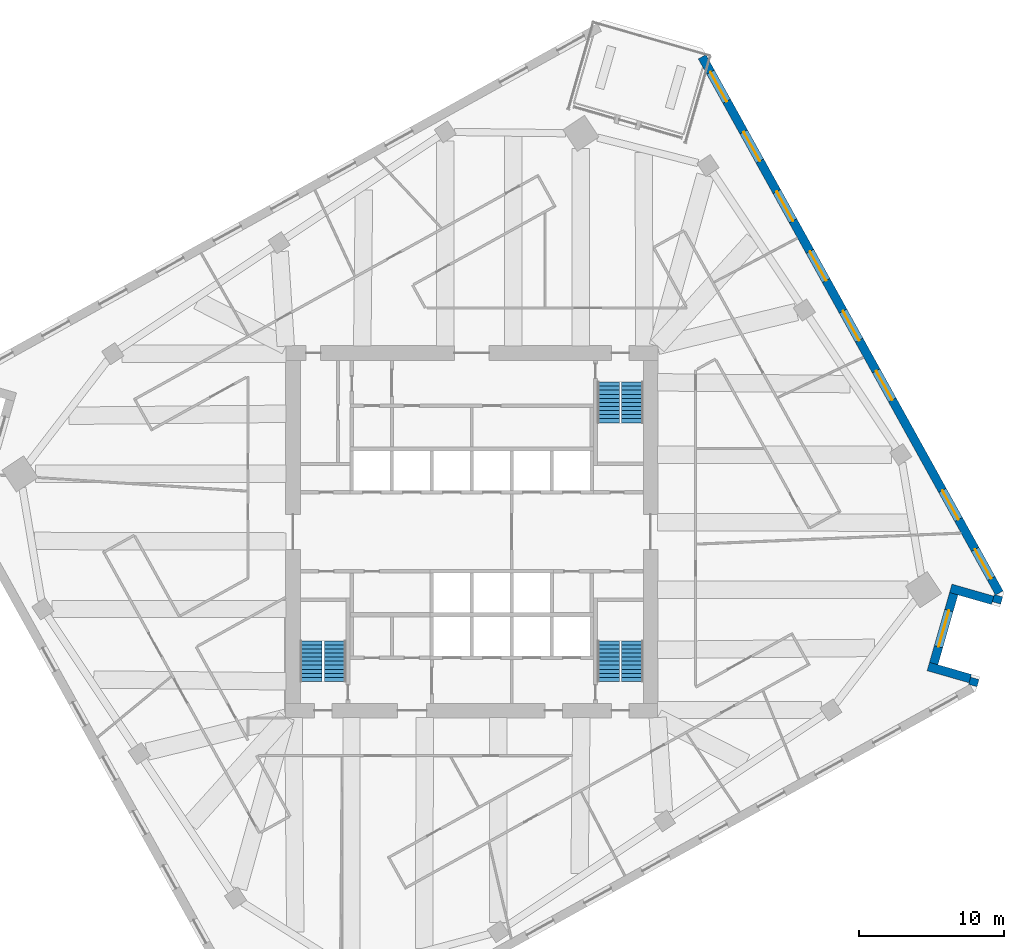
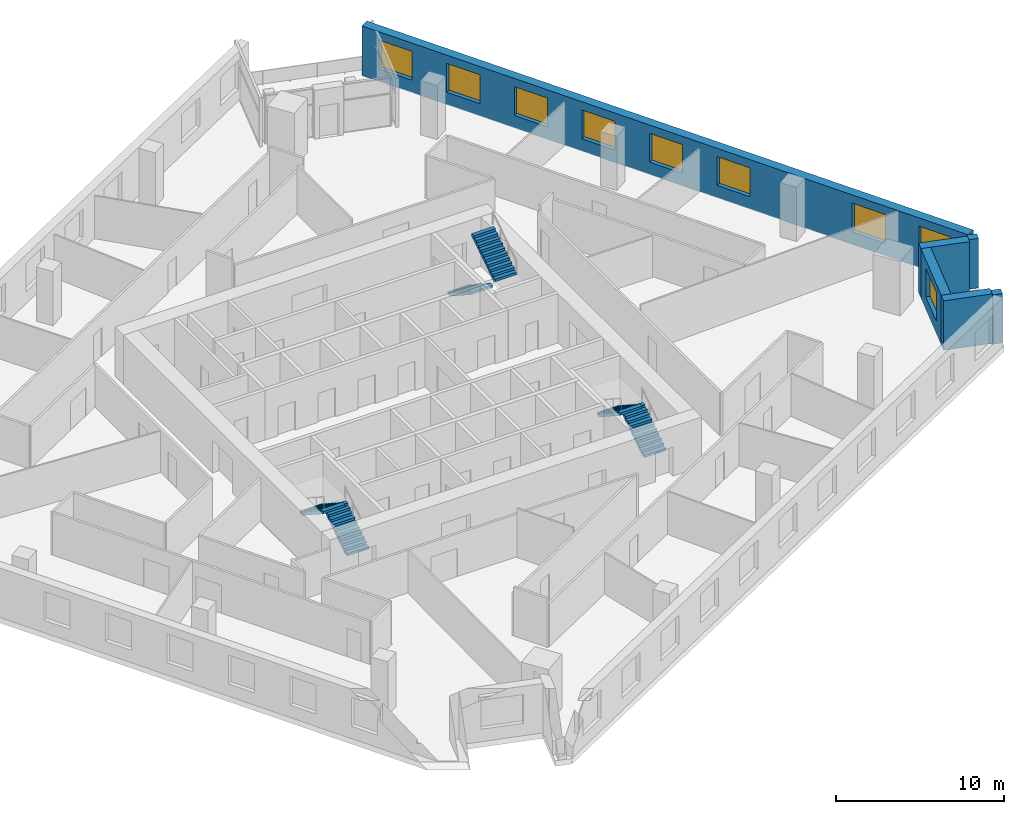
# One storey, part 10 of 12: 9 windows, 6 stair flights, 6 walls, 9 openings, 3 elements without a shape of their own.
"""IFC4 building model written with IfcOpenShell, lengths in metres."""

from ifc_helpers import new_model, si_unit, direction, frame, frame_2d, origin, place, context, subcontext, project, spatial, polyline, rectangle, outline, extrude, material, layer, layer_set, type_object, element, fill, aggregate, save


model = new_model("IFC4")

# Units and contexts
model_context = context("Model", 3, precision=1e-05, world=origin(), true_north=direction((0.0, 1.0)))
body_context = subcontext(model_context, "Body", "Model", "MODEL_VIEW")
ifc_project = project(units=[si_unit("LENGTHUNIT", "METRE"), si_unit("AREAUNIT", "SQUARE_METRE"), si_unit("VOLUMEUNIT", "CUBIC_METRE"), si_unit("PLANEANGLEUNIT", "RADIAN"), si_unit("MASSUNIT", "GRAM", prefix="KILO")], contexts=[model_context])

# Site, building, storey
site_placement = place(None, origin())
site = spatial("IfcSite", under=ifc_project, at=site_placement, CompositionType="ELEMENT")
building_placement = place(site_placement, origin())
building = spatial("IfcBuilding", under=site, at=building_placement, Name="Dilmun Exchange Tower", CompositionType="ELEMENT")
storey_placement = place(building_placement, frame((0.0, 0.0, 143.699951171875)))
storey = spatial("IfcBuildingStorey", under=building, at=storey_placement, Name="L33", CompositionType="ELEMENT", Elevation=143.699951171875)

# Walls
ifc_material_1 = material(Name="Precast concrete C50/60", Category="concrete")
ifc_layer = layer(ifc_material_1, 0.60009765625)
ifc_layer_set = layer_set([ifc_layer], Name="Precast concrete C50/60")
wall_type = type_object("IfcWallType", Name="Precast stone-clad wall 600", PredefinedType="STANDARD", material=ifc_layer_set)
wall_1_placement = place(storey_placement, frame((34.465576171875, -10.5751953125, 0.0), z_axis=(0.0, 0.0, 1.0), x_axis=(0.275667500387, 0.96125305161, 0.0)))
element("IfcWall", 1, at=wall_1_placement, inside=storey, type_object=wall_type, Name="Facade wall L33-16", PredefinedType="STANDARD", context=body_context, shape_type="SweptSolid", body=[
    extrude(rectangle(XDim=0.510986328125, YDim=0.60009765625, at=frame_2d((0.25537109375, 0.0))), origin(), (0.0, 0.0, 1.0), 3.60009765625),
])
wall_2_placement = place(storey_placement, frame((34.29052734375, -10.097412109375, 0.0), z_axis=(0.0, 0.0, 1.0), x_axis=(-0.96126248289, 0.275634611374, 0.0)))
element("IfcWall", 2, at=wall_2_placement, inside=storey, type_object=wall_type, Name="Facade wall L33-17", PredefinedType="STANDARD", context=body_context, shape_type="SweptSolid", body=[
    extrude(rectangle(XDim=3.0, YDim=0.60009765625, at=frame_2d((1.5, 0.0))), origin(), (0.0, 0.0, 1.0), 3.60009765625),
])

# Wall, opening, window
wall_3_placement = place(storey_placement, frame((31.777587890625, -9.064697265625, 0.0), z_axis=(0.0, 0.0, 1.0), x_axis=(0.275675415896, 0.961250781571, 0.0)))
wall_3 = element("IfcWall", 3, at=wall_3_placement, inside=storey, type_object=wall_type, Name="Facade wall L33-18", PredefinedType="STANDARD", context=body_context, shape_type="SweptSolid", body=[
    extrude(rectangle(XDim=5.000244140625, YDim=0.60009765625, at=frame_2d((2.5, 0.0))), origin(), (0.0, 0.0, 1.0), 3.60009765625),
])
opening_1_placement = place(wall_3_placement, frame((1.199951171875, 0.0, 0.89990234375)))
opening_1 = element("IfcOpeningElement", 4, at=opening_1_placement, cuts=wall_3, Name="Opening W260-210", PredefinedType="OPENING", context=body_context, shape_type="SweptSolid", body=[
    extrude(rectangle(XDim=2.60009765625, YDim=2.10009765625, at=frame_2d((1.300048828125, 1.050048828125))), frame((0.0, 0.31005859375, 0.0), z_axis=(0.0, -1.0, 0.0), x_axis=(1.0, 0.0, 0.0)), (0.0, 0.0, 1.0), 0.6201171875),
])
ifc_material_2 = material(Name="Clear low-emissivity glass in aluminium frame", Category="aluminium")
window_type_1 = type_object("IfcWindowType", Name="Punched window 2600 x 2100", PartitioningType="DOUBLE_PANEL_VERTICAL", PredefinedType="WINDOW", material=ifc_material_2)
window_1_placement = place(opening_1_placement, origin())
window_1 = element("IfcWindow", 5, at=window_1_placement, inside=storey, type_object=window_type_1, Name="Window 19.1", OverallHeight=2.10009765625, OverallWidth=2.60009765625, PartitioningType="SINGLE_PANEL", PredefinedType="WINDOW", context=body_context, shape_type="SweptSolid", body=[
    extrude(rectangle(XDim=2.60009765625, YDim=2.10009765625, at=frame_2d((1.300048828125, 1.050048828125))), frame((0.0, 0.030029296875, 0.0), z_axis=(0.0, -1.0, 0.0), x_axis=(1.0, 0.0, 0.0)), (0.0, 0.0, 1.0), 0.06005859375),
])
fill(opening_1, window_1)

# Walls
wall_4_placement = place(storey_placement, frame((32.9501953125, -3.88720703125, 0.0), z_axis=(0.0, 0.0, 1.0), x_axis=(0.96126248289, -0.275634611374, 0.0)))
element("IfcWall", 6, at=wall_4_placement, inside=storey, type_object=wall_type, Name="Facade wall L33-19", PredefinedType="STANDARD", context=body_context, shape_type="SweptSolid", body=[
    extrude(rectangle(XDim=3.0, YDim=0.60009765625, at=frame_2d((1.5, 0.0))), origin(), (0.0, 0.0, 1.0), 3.60009765625),
])
wall_5_placement = place(storey_placement, frame((36.0947265625, -4.89306640625, 0.0), z_axis=(0.0, 0.0, 1.0), x_axis=(0.275982153595, 0.961162759837, 0.0)))
element("IfcWall", 7, at=wall_5_placement, inside=storey, type_object=wall_type, Name="Facade wall L33-20", PredefinedType="STANDARD", context=body_context, shape_type="SweptSolid", body=[
    extrude(rectangle(XDim=0.51123046875, YDim=0.60009765625, at=frame_2d((0.255615234375, 0.0))), origin(), (0.0, 0.0, 1.0), 3.60009765625),
])

# Wall, openings, windows
wall_6_placement = place(storey_placement, frame((36.291015625, -4.209228515625, 0.0), z_axis=(0.0, 0.0, 1.0), x_axis=(-0.484811111615, 0.874618880458, 0.0)))
wall_6 = element("IfcWall", 8, at=wall_6_placement, inside=storey, type_object=wall_type, Name="Facade wall L33-21", PredefinedType="STANDARD", context=body_context, shape_type="SweptSolid", body=[
    extrude(rectangle(XDim=42.17578125, YDim=0.60009765625, at=frame_2d((21.087890625, 0.0))), origin(), (0.0, 0.0, 1.0), 3.60009765625),
])
opening_2_placement = place(wall_6_placement, frame((1.137939453125, 0.0, 0.89990234375)))
opening_2 = element("IfcOpeningElement", 9, at=opening_2_placement, cuts=wall_6, Name="Opening W230-210", PredefinedType="OPENING", context=body_context, shape_type="SweptSolid", body=[
    extrude(rectangle(XDim=2.300048828125, YDim=2.10009765625, at=frame_2d((1.14990234375, 1.050048828125))), frame((0.0, 0.31005859375, 0.0), z_axis=(0.0, -1.0, 0.0), x_axis=(1.0, 0.0, 0.0)), (0.0, 0.0, 1.0), 0.6201171875),
])
opening_3_placement = place(wall_6_placement, frame((5.775634765625, 0.0, 0.89990234375)))
opening_3 = element("IfcOpeningElement", 10, at=opening_3_placement, cuts=wall_6, Name="Opening W230-210", PredefinedType="OPENING", context=body_context, shape_type="SweptSolid", body=[
    extrude(rectangle(XDim=2.300048828125, YDim=2.10009765625, at=frame_2d((1.14990234375, 1.050048828125))), frame((0.0, 0.31005859375, 0.0), z_axis=(0.0, -1.0, 0.0), x_axis=(1.0, 0.0, 0.0)), (0.0, 0.0, 1.0), 0.6201171875),
])
opening_4_placement = place(wall_6_placement, frame((15.17578125, 0.0, 0.89990234375)))
opening_4 = element("IfcOpeningElement", 11, at=opening_4_placement, cuts=wall_6, Name="Opening W230-210", PredefinedType="OPENING", context=body_context, shape_type="SweptSolid", body=[
    extrude(rectangle(XDim=2.300048828125, YDim=2.10009765625, at=frame_2d((1.14990234375, 1.050048828125))), frame((0.0, 0.31005859375, 0.0), z_axis=(0.0, -1.0, 0.0), x_axis=(1.0, 0.0, 0.0)), (0.0, 0.0, 1.0), 0.6201171875),
])
opening_5_placement = place(wall_6_placement, frame((19.875732421875, 0.0, 0.89990234375)))
opening_5 = element("IfcOpeningElement", 12, at=opening_5_placement, cuts=wall_6, Name="Opening W230-210", PredefinedType="OPENING", context=body_context, shape_type="SweptSolid", body=[
    extrude(rectangle(XDim=2.300048828125, YDim=2.10009765625, at=frame_2d((1.14990234375, 1.050048828125))), frame((0.0, 0.31005859375, 0.0), z_axis=(0.0, -1.0, 0.0), x_axis=(1.0, 0.0, 0.0)), (0.0, 0.0, 1.0), 0.6201171875),
])
opening_6_placement = place(wall_6_placement, frame((24.57568359375, 0.0, 0.89990234375)))
opening_6 = element("IfcOpeningElement", 13, at=opening_6_placement, cuts=wall_6, Name="Opening W230-210", PredefinedType="OPENING", context=body_context, shape_type="SweptSolid", body=[
    extrude(rectangle(XDim=2.300048828125, YDim=2.10009765625, at=frame_2d((1.14990234375, 1.050048828125))), frame((0.0, 0.31005859375, 0.0), z_axis=(0.0, -1.0, 0.0), x_axis=(1.0, 0.0, 0.0)), (0.0, 0.0, 1.0), 0.6201171875),
])
opening_7_placement = place(wall_6_placement, frame((29.275634765625, 0.0, 0.89990234375)))
opening_7 = element("IfcOpeningElement", 14, at=opening_7_placement, cuts=wall_6, Name="Opening W230-210", PredefinedType="OPENING", context=body_context, shape_type="SweptSolid", body=[
    extrude(rectangle(XDim=2.300048828125, YDim=2.10009765625, at=frame_2d((1.14990234375, 1.050048828125))), frame((0.0, 0.31005859375, 0.0), z_axis=(0.0, -1.0, 0.0), x_axis=(1.0, 0.0, 0.0)), (0.0, 0.0, 1.0), 0.6201171875),
])
opening_8_placement = place(wall_6_placement, frame((33.9755859375, 0.0, 0.89990234375)))
opening_8 = element("IfcOpeningElement", 15, at=opening_8_placement, cuts=wall_6, Name="Opening W230-210", PredefinedType="OPENING", context=body_context, shape_type="SweptSolid", body=[
    extrude(rectangle(XDim=2.300048828125, YDim=2.10009765625, at=frame_2d((1.14990234375, 1.050048828125))), frame((0.0, 0.31005859375, 0.0), z_axis=(0.0, -1.0, 0.0), x_axis=(1.0, 0.0, 0.0)), (0.0, 0.0, 1.0), 0.6201171875),
])
opening_9_placement = place(wall_6_placement, frame((38.67578125, 0.0, 0.89990234375)))
opening_9 = element("IfcOpeningElement", 16, at=opening_9_placement, cuts=wall_6, Name="Opening W230-210", PredefinedType="OPENING", context=body_context, shape_type="SweptSolid", body=[
    extrude(rectangle(XDim=2.300048828125, YDim=2.10009765625, at=frame_2d((1.14990234375, 1.050048828125))), frame((0.0, 0.31005859375, 0.0), z_axis=(0.0, -1.0, 0.0), x_axis=(1.0, 0.0, 0.0)), (0.0, 0.0, 1.0), 0.6201171875),
])
window_type_2 = type_object("IfcWindowType", Name="Punched window 2300 x 2100", PartitioningType="DOUBLE_PANEL_VERTICAL", PredefinedType="WINDOW", material=ifc_material_2)
window_2_placement = place(opening_2_placement, origin())
window_2 = element("IfcWindow", 17, at=window_2_placement, inside=storey, type_object=window_type_2, Name="Window 22.1", OverallHeight=2.10009765625, OverallWidth=2.300048828125, PartitioningType="SINGLE_PANEL", PredefinedType="WINDOW", context=body_context, shape_type="SweptSolid", body=[
    extrude(rectangle(XDim=2.300048828125, YDim=2.10009765625, at=frame_2d((1.14990234375, 1.050048828125))), frame((0.0, 0.030029296875, 0.0), z_axis=(0.0, -1.0, 0.0), x_axis=(1.0, 0.0, 0.0)), (0.0, 0.0, 1.0), 0.06005859375),
])
fill(opening_2, window_2)
window_3_placement = place(opening_3_placement, origin())
window_3 = element("IfcWindow", 18, at=window_3_placement, inside=storey, type_object=window_type_2, Name="Window 22.2", OverallHeight=2.10009765625, OverallWidth=2.300048828125, PartitioningType="SINGLE_PANEL", PredefinedType="WINDOW", context=body_context, shape_type="SweptSolid", body=[
    extrude(rectangle(XDim=2.300048828125, YDim=2.10009765625, at=frame_2d((1.14990234375, 1.050048828125))), frame((0.0, 0.030029296875, 0.0), z_axis=(0.0, -1.0, 0.0), x_axis=(1.0, 0.0, 0.0)), (0.0, 0.0, 1.0), 0.06005859375),
])
fill(opening_3, window_3)
window_4_placement = place(opening_4_placement, origin())
window_4 = element("IfcWindow", 19, at=window_4_placement, inside=storey, type_object=window_type_2, Name="Window 22.4", OverallHeight=2.10009765625, OverallWidth=2.300048828125, PartitioningType="SINGLE_PANEL", PredefinedType="WINDOW", context=body_context, shape_type="SweptSolid", body=[
    extrude(rectangle(XDim=2.300048828125, YDim=2.10009765625, at=frame_2d((1.14990234375, 1.050048828125))), frame((0.0, 0.030029296875, 0.0), z_axis=(0.0, -1.0, 0.0), x_axis=(1.0, 0.0, 0.0)), (0.0, 0.0, 1.0), 0.06005859375),
])
fill(opening_4, window_4)
window_5_placement = place(opening_5_placement, origin())
window_5 = element("IfcWindow", 20, at=window_5_placement, inside=storey, type_object=window_type_2, Name="Window 22.5", OverallHeight=2.10009765625, OverallWidth=2.300048828125, PartitioningType="SINGLE_PANEL", PredefinedType="WINDOW", context=body_context, shape_type="SweptSolid", body=[
    extrude(rectangle(XDim=2.300048828125, YDim=2.10009765625, at=frame_2d((1.14990234375, 1.050048828125))), frame((0.0, 0.030029296875, 0.0), z_axis=(0.0, -1.0, 0.0), x_axis=(1.0, 0.0, 0.0)), (0.0, 0.0, 1.0), 0.06005859375),
])
fill(opening_5, window_5)
window_6_placement = place(opening_6_placement, origin())
window_6 = element("IfcWindow", 21, at=window_6_placement, inside=storey, type_object=window_type_2, Name="Window 22.6", OverallHeight=2.10009765625, OverallWidth=2.300048828125, PartitioningType="SINGLE_PANEL", PredefinedType="WINDOW", context=body_context, shape_type="SweptSolid", body=[
    extrude(rectangle(XDim=2.300048828125, YDim=2.10009765625, at=frame_2d((1.14990234375, 1.050048828125))), frame((0.0, 0.030029296875, 0.0), z_axis=(0.0, -1.0, 0.0), x_axis=(1.0, 0.0, 0.0)), (0.0, 0.0, 1.0), 0.06005859375),
])
fill(opening_6, window_6)
window_7_placement = place(opening_7_placement, origin())
window_7 = element("IfcWindow", 22, at=window_7_placement, inside=storey, type_object=window_type_2, Name="Window 22.7", OverallHeight=2.10009765625, OverallWidth=2.300048828125, PartitioningType="SINGLE_PANEL", PredefinedType="WINDOW", context=body_context, shape_type="SweptSolid", body=[
    extrude(rectangle(XDim=2.300048828125, YDim=2.10009765625, at=frame_2d((1.14990234375, 1.050048828125))), frame((0.0, 0.030029296875, 0.0), z_axis=(0.0, -1.0, 0.0), x_axis=(1.0, 0.0, 0.0)), (0.0, 0.0, 1.0), 0.06005859375),
])
fill(opening_7, window_7)
window_8_placement = place(opening_8_placement, origin())
window_8 = element("IfcWindow", 23, at=window_8_placement, inside=storey, type_object=window_type_2, Name="Window 22.8", OverallHeight=2.10009765625, OverallWidth=2.300048828125, PartitioningType="SINGLE_PANEL", PredefinedType="WINDOW", context=body_context, shape_type="SweptSolid", body=[
    extrude(rectangle(XDim=2.300048828125, YDim=2.10009765625, at=frame_2d((1.14990234375, 1.050048828125))), frame((0.0, 0.030029296875, 0.0), z_axis=(0.0, -1.0, 0.0), x_axis=(1.0, 0.0, 0.0)), (0.0, 0.0, 1.0), 0.06005859375),
])
fill(opening_8, window_8)
window_9_placement = place(opening_9_placement, origin())
window_9 = element("IfcWindow", 24, at=window_9_placement, inside=storey, type_object=window_type_2, Name="Window 22.9", OverallHeight=2.10009765625, OverallWidth=2.300048828125, PartitioningType="SINGLE_PANEL", PredefinedType="WINDOW", context=body_context, shape_type="SweptSolid", body=[
    extrude(rectangle(XDim=2.300048828125, YDim=2.10009765625, at=frame_2d((1.14990234375, 1.050048828125))), frame((0.0, 0.030029296875, 0.0), z_axis=(0.0, -1.0, 0.0), x_axis=(1.0, 0.0, 0.0)), (0.0, 0.0, 1.0), 0.06005859375),
])
fill(opening_9, window_9)

# Stair, stair flights
ifc_material_3 = material(Name="Concrete C40/50", Category="concrete")
stair_type = type_object("IfcStairType", Name="Exit stair 1500 half-turn", PredefinedType="HALF_TURN_STAIR", material=ifc_material_3)
stair_1_placement = place(storey_placement, origin())
stair_1 = element("IfcStair", 25, at=stair_1_placement, inside=storey, type_object=stair_type, Name="L33 Protected exit stair ST1", PredefinedType="HALF_TURN_STAIR")
stair_flight_type = type_object("IfcStairFlightType", Name="Exit stair flight 1500", PredefinedType="STRAIGHT", material=ifc_material_3)
stair_flight_1_placement = place(storey_placement, frame((9.39990234375, 10.300048828125, 0.0), z_axis=(0.0, 0.0, 1.0), x_axis=(0.0, -1.0, 0.0)))
stair_flight_1 = element("IfcStairFlight", 26, at=stair_flight_1_placement, type_object=stair_flight_type, Name="ST1 flight 1", NumberOfRisers=11, NumberOfTreads=10, PredefinedType="STRAIGHT", RiserHeight=0.181818182, TreadLength=0.28, context=body_context, shape_type="SweptSolid", body=[
    extrude(outline(polyline([(0.0, 0.0), (0.0, 0.181884765625), (0.280029296875, 0.181884765625), (0.280029296875, 0.363525390625), (0.56005859375, 0.363525390625), (0.56005859375, 0.54541015625), (0.840087890625, 0.54541015625), (0.840087890625, 0.727294921875), (1.1201171875, 0.727294921875), (1.1201171875, 0.9091796875), (1.39990234375, 0.9091796875), (1.39990234375, 1.0908203125), (1.679931640625, 1.0908203125), (1.679931640625, 1.272705078125), (1.9599609375, 1.272705078125), (1.9599609375, 1.45458984375), (2.239990234375, 1.45458984375), (2.239990234375, 1.636474609375), (2.52001953125, 1.636474609375), (2.52001953125, 1.818115234375), (2.800048828125, 1.818115234375), (2.800048828125, 2.0), (2.800048828125, 1.639404296875), (0.275146484375, 0.0), (0.0, 0.0)])), frame((0.0, 0.75, 0.0), z_axis=(0.0, -1.0, 0.0), x_axis=(1.0, 0.0, 0.0)), (0.0, 0.0, 1.0), 1.5),
])
stair_flight_2_placement = place(storey_placement, frame((11.050048828125, 7.5, 2.0), z_axis=(0.0, 0.0, 1.0), x_axis=(0.0, 1.0, 0.0)))
stair_flight_2 = element("IfcStairFlight", 27, at=stair_flight_2_placement, type_object=stair_flight_type, Name="ST1 flight 2", NumberOfRisers=11, NumberOfTreads=10, PredefinedType="STRAIGHT", RiserHeight=0.181818182, TreadLength=0.28, context=body_context, shape_type="SweptSolid", body=[
    extrude(outline(polyline([(0.0, 0.0), (0.0, 0.181884765625), (0.280029296875, 0.181884765625), (0.280029296875, 0.363525390625), (0.56005859375, 0.363525390625), (0.56005859375, 0.54541015625), (0.840087890625, 0.54541015625), (0.840087890625, 0.727294921875), (1.1201171875, 0.727294921875), (1.1201171875, 0.9091796875), (1.39990234375, 0.9091796875), (1.39990234375, 1.0908203125), (1.679931640625, 1.0908203125), (1.679931640625, 1.272705078125), (1.9599609375, 1.272705078125), (1.9599609375, 1.45458984375), (2.239990234375, 1.45458984375), (2.239990234375, 1.636474609375), (2.52001953125, 1.636474609375), (2.52001953125, 1.818115234375), (2.800048828125, 1.818115234375), (2.800048828125, 2.0), (2.800048828125, 1.639404296875), (0.275146484375, 0.0), (0.0, 0.0)])), frame((0.0, 0.75, 0.0), z_axis=(0.0, -1.0, 0.0), x_axis=(1.0, 0.0, 0.0)), (0.0, 0.0, 1.0), 1.5),
])
aggregate(stair_1, [stair_flight_1, stair_flight_2])

stair_2_placement = place(storey_placement, origin())
stair_2 = element("IfcStair", 28, at=stair_2_placement, inside=storey, type_object=stair_type, Name="L33 Protected exit stair ST2", PredefinedType="HALF_TURN_STAIR")
stair_flight_3_placement = place(storey_placement, frame((-9.39990234375, -10.300048828125, 0.0), z_axis=(0.0, 0.0, 1.0), x_axis=(0.0, 1.0, 0.0)))
stair_flight_3 = element("IfcStairFlight", 29, at=stair_flight_3_placement, type_object=stair_flight_type, Name="ST2 flight 1", NumberOfRisers=11, NumberOfTreads=10, PredefinedType="STRAIGHT", RiserHeight=0.181818182, TreadLength=0.28, context=body_context, shape_type="SweptSolid", body=[
    extrude(outline(polyline([(0.0, 0.0), (0.0, 0.181884765625), (0.280029296875, 0.181884765625), (0.280029296875, 0.363525390625), (0.56005859375, 0.363525390625), (0.56005859375, 0.54541015625), (0.840087890625, 0.54541015625), (0.840087890625, 0.727294921875), (1.1201171875, 0.727294921875), (1.1201171875, 0.9091796875), (1.39990234375, 0.9091796875), (1.39990234375, 1.0908203125), (1.679931640625, 1.0908203125), (1.679931640625, 1.272705078125), (1.9599609375, 1.272705078125), (1.9599609375, 1.45458984375), (2.239990234375, 1.45458984375), (2.239990234375, 1.636474609375), (2.52001953125, 1.636474609375), (2.52001953125, 1.818115234375), (2.800048828125, 1.818115234375), (2.800048828125, 2.0), (2.800048828125, 1.639404296875), (0.275146484375, 0.0), (0.0, 0.0)])), frame((0.0, 0.75, 0.0), z_axis=(0.0, -1.0, 0.0), x_axis=(1.0, 0.0, 0.0)), (0.0, 0.0, 1.0), 1.5),
])
stair_flight_4_placement = place(storey_placement, frame((-11.050048828125, -7.5, 2.0), z_axis=(0.0, 0.0, 1.0), x_axis=(0.0, -1.0, 0.0)))
stair_flight_4 = element("IfcStairFlight", 30, at=stair_flight_4_placement, type_object=stair_flight_type, Name="ST2 flight 2", NumberOfRisers=11, NumberOfTreads=10, PredefinedType="STRAIGHT", RiserHeight=0.181818182, TreadLength=0.28, context=body_context, shape_type="SweptSolid", body=[
    extrude(outline(polyline([(0.0, 0.0), (0.0, 0.181884765625), (0.280029296875, 0.181884765625), (0.280029296875, 0.363525390625), (0.56005859375, 0.363525390625), (0.56005859375, 0.54541015625), (0.840087890625, 0.54541015625), (0.840087890625, 0.727294921875), (1.1201171875, 0.727294921875), (1.1201171875, 0.9091796875), (1.39990234375, 0.9091796875), (1.39990234375, 1.0908203125), (1.679931640625, 1.0908203125), (1.679931640625, 1.272705078125), (1.9599609375, 1.272705078125), (1.9599609375, 1.45458984375), (2.239990234375, 1.45458984375), (2.239990234375, 1.636474609375), (2.52001953125, 1.636474609375), (2.52001953125, 1.818115234375), (2.800048828125, 1.818115234375), (2.800048828125, 2.0), (2.800048828125, 1.639404296875), (0.275146484375, 0.0), (0.0, 0.0)])), frame((0.0, 0.75, 0.0), z_axis=(0.0, -1.0, 0.0), x_axis=(1.0, 0.0, 0.0)), (0.0, 0.0, 1.0), 1.5),
])
aggregate(stair_2, [stair_flight_3, stair_flight_4])

stair_3_placement = place(storey_placement, origin())
stair_3 = element("IfcStair", 31, at=stair_3_placement, inside=storey, type_object=stair_type, Name="L33 Protected exit stair ST3", PredefinedType="HALF_TURN_STAIR")
stair_flight_5_placement = place(storey_placement, frame((11.050048828125, -10.300048828125, 0.0), z_axis=(0.0, 0.0, 1.0), x_axis=(0.0, 1.0, 0.0)))
stair_flight_5 = element("IfcStairFlight", 32, at=stair_flight_5_placement, type_object=stair_flight_type, Name="ST3 flight 1", NumberOfRisers=11, NumberOfTreads=10, PredefinedType="STRAIGHT", RiserHeight=0.181818182, TreadLength=0.28, context=body_context, shape_type="SweptSolid", body=[
    extrude(outline(polyline([(0.0, 0.0), (0.0, 0.181884765625), (0.280029296875, 0.181884765625), (0.280029296875, 0.363525390625), (0.56005859375, 0.363525390625), (0.56005859375, 0.54541015625), (0.840087890625, 0.54541015625), (0.840087890625, 0.727294921875), (1.1201171875, 0.727294921875), (1.1201171875, 0.9091796875), (1.39990234375, 0.9091796875), (1.39990234375, 1.0908203125), (1.679931640625, 1.0908203125), (1.679931640625, 1.272705078125), (1.9599609375, 1.272705078125), (1.9599609375, 1.45458984375), (2.239990234375, 1.45458984375), (2.239990234375, 1.636474609375), (2.52001953125, 1.636474609375), (2.52001953125, 1.818115234375), (2.800048828125, 1.818115234375), (2.800048828125, 2.0), (2.800048828125, 1.639404296875), (0.275146484375, 0.0), (0.0, 0.0)])), frame((0.0, 0.75, 0.0), z_axis=(0.0, -1.0, 0.0), x_axis=(1.0, 0.0, 0.0)), (0.0, 0.0, 1.0), 1.5),
])
stair_flight_6_placement = place(storey_placement, frame((9.39990234375, -7.5, 2.0), z_axis=(0.0, 0.0, 1.0), x_axis=(0.0, -1.0, 0.0)))
stair_flight_6 = element("IfcStairFlight", 33, at=stair_flight_6_placement, type_object=stair_flight_type, Name="ST3 flight 2", NumberOfRisers=11, NumberOfTreads=10, PredefinedType="STRAIGHT", RiserHeight=0.181818182, TreadLength=0.28, context=body_context, shape_type="SweptSolid", body=[
    extrude(outline(polyline([(0.0, 0.0), (0.0, 0.181884765625), (0.280029296875, 0.181884765625), (0.280029296875, 0.363525390625), (0.56005859375, 0.363525390625), (0.56005859375, 0.54541015625), (0.840087890625, 0.54541015625), (0.840087890625, 0.727294921875), (1.1201171875, 0.727294921875), (1.1201171875, 0.9091796875), (1.39990234375, 0.9091796875), (1.39990234375, 1.0908203125), (1.679931640625, 1.0908203125), (1.679931640625, 1.272705078125), (1.9599609375, 1.272705078125), (1.9599609375, 1.45458984375), (2.239990234375, 1.45458984375), (2.239990234375, 1.636474609375), (2.52001953125, 1.636474609375), (2.52001953125, 1.818115234375), (2.800048828125, 1.818115234375), (2.800048828125, 2.0), (2.800048828125, 1.639404296875), (0.275146484375, 0.0), (0.0, 0.0)])), frame((0.0, 0.75, 0.0), z_axis=(0.0, -1.0, 0.0), x_axis=(1.0, 0.0, 0.0)), (0.0, 0.0, 1.0), 1.5),
])
aggregate(stair_3, [stair_flight_5, stair_flight_6])

save(model, "model.ifc")
